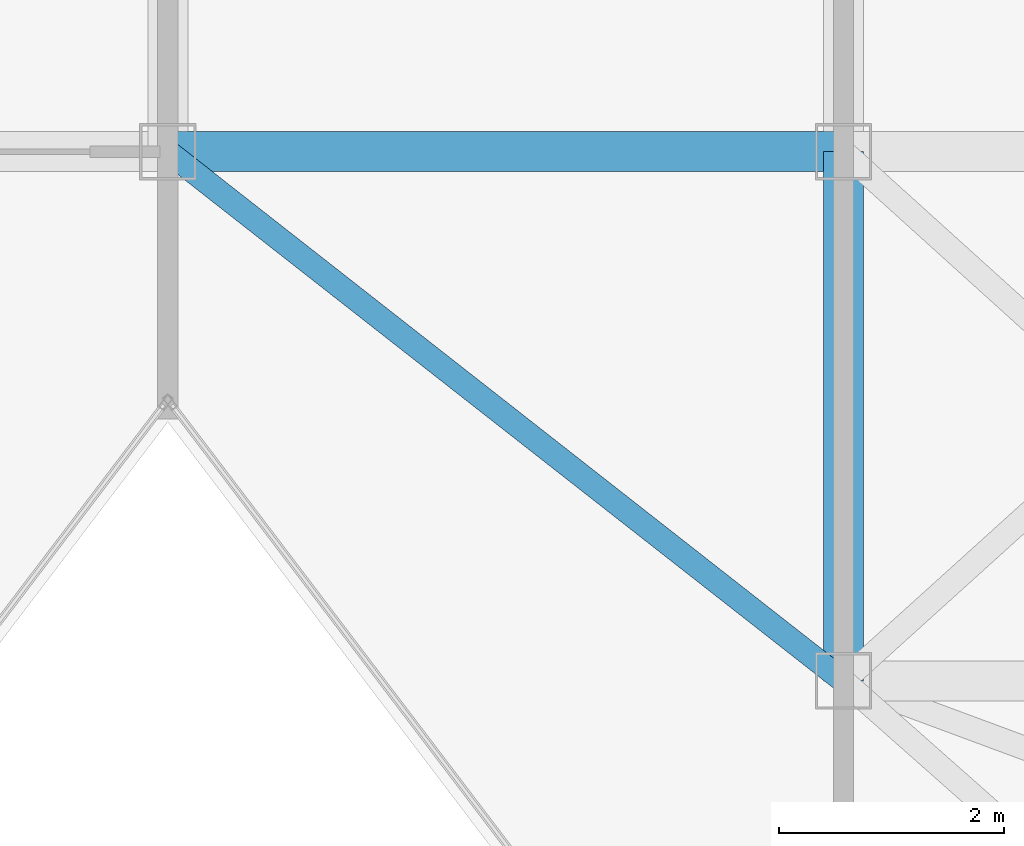
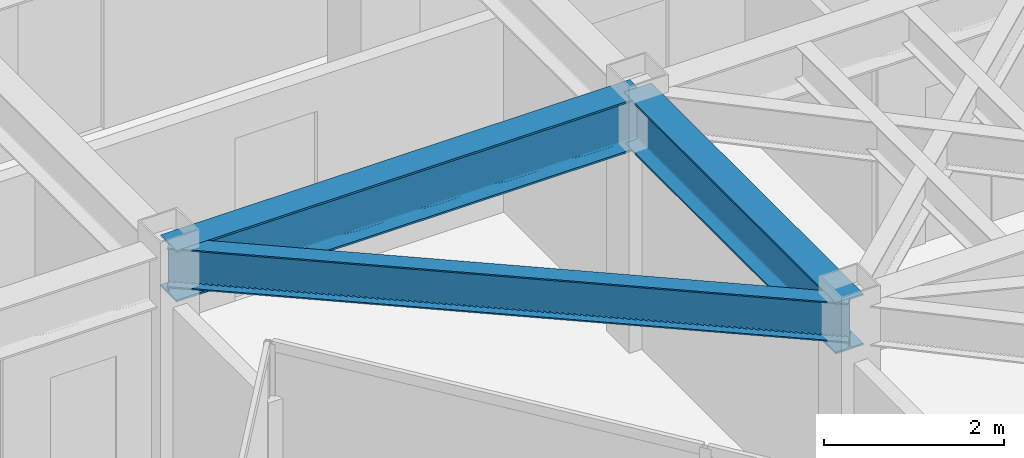
# One storey, part 9 of 20: 3 beams.
"""IFC4 building model written with IfcOpenShell, lengths in metres."""

from ifc_helpers import new_model, si_unit, direction, frame, origin, origin_2d, place, context, subcontext, project, spatial, i_section, extrude, material, material_profile, profile_set, type_object, element, save


model = new_model("IFC4")

# Units and contexts
model_context = context("Model", 3, precision=1e-05, world=origin(), true_north=direction((0.0, 1.0)))
body_context = subcontext(model_context, "Body", "Model", "MODEL_VIEW")
ifc_project = project(units=[si_unit("LENGTHUNIT", "METRE"), si_unit("AREAUNIT", "SQUARE_METRE"), si_unit("VOLUMEUNIT", "CUBIC_METRE"), si_unit("PLANEANGLEUNIT", "RADIAN"), si_unit("MASSUNIT", "GRAM", prefix="KILO")], contexts=[model_context])

# Site, building, storey
site_placement = place(None, origin())
site = spatial("IfcSite", under=ifc_project, at=site_placement, CompositionType="ELEMENT")
building_placement = place(site_placement, origin())
building = spatial("IfcBuilding", under=site, at=building_placement, Name="Kravanh Interchange Tower", CompositionType="ELEMENT")
storey_placement = place(building_placement, frame((0.0, 0.0, 234.60009765625)))
storey = spatial("IfcBuildingStorey", under=building, at=storey_placement, Name="L56", CompositionType="ELEMENT", Elevation=234.60009765625)

# Beams
ifc_material_1 = material(Name="Structural Steel S355", Category="steel")
ifc_material_profile_1 = material_profile(ifc_material_1, i_section(OverallWidth=0.35498046875, OverallDepth=0.696044921875, WebThickness=0.015380859375, FlangeThickness=0.02490234375, FilletRadius=0.02392578125, at=origin_2d()), Name="W27X146")
ifc_profile_set_1 = profile_set([ifc_material_profile_1], Name="Structural Steel S355")
beam_type_1 = type_object("IfcBeamType", Name="Floor Beam W27X146 Structural Steel S355", PredefinedType="BEAM", material=ifc_profile_set_1)
beam_1_placement = place(storey_placement, frame((44.800048828125, 31.5, 3.011962890625), z_axis=(1.0, 0.0, 0.0), x_axis=(0.0, 1.0, 0.0)))
element("IfcBeam", 1, at=beam_1_placement, inside=storey, type_object=beam_type_1, Name="L56 Primary Floor Girder 2", PredefinedType="BEAM", context=body_context, shape_type="SweptSolid", body=[
    extrude(i_section(OverallWidth=0.35498046875, OverallDepth=0.696044921875, WebThickness=0.015380859375, FlangeThickness=0.02490234375, FilletRadius=0.02392578125, at=origin_2d()), origin(), (0.0, 0.0, 1.0), 6.0),
])
beam_2_placement = place(storey_placement, frame((50.800048828125, 31.5, 3.011962890625), z_axis=(0.0, -1.0, 0.0), x_axis=(1.0, 0.0, 0.0)))
element("IfcBeam", 2, at=beam_2_placement, inside=storey, type_object=beam_type_1, Name="L56 Primary Floor Girder 5", PredefinedType="BEAM", context=body_context, shape_type="SweptSolid", body=[
    extrude(i_section(OverallWidth=0.35498046875, OverallDepth=0.696044921875, WebThickness=0.015380859375, FlangeThickness=0.02490234375, FilletRadius=0.02392578125, at=origin_2d()), origin(), (0.0, 0.0, 1.0), 4.699951171875),
])
ifc_material_2 = material(Name="Structural Steel S355", Category="steel")
ifc_material_profile_2 = material_profile(ifc_material_2, i_section(OverallWidth=0.2099609375, OverallDepth=0.537109375, WebThickness=0.010986328125, FlangeThickness=0.017333984375, FilletRadius=0.02001953125, at=origin_2d()), Name="W21X68")
ifc_profile_set_2 = profile_set([ifc_material_profile_2], Name="Structural Steel S355")
beam_type_2 = type_object("IfcBeamType", Name="Floor Spandrel W21X68 Structural Steel S355", PredefinedType="SPANDREL", material=ifc_profile_set_2)
beam_3_placement = place(storey_placement, frame((44.800048828125, 31.5, 3.09130859375), z_axis=(0.787231163579, -0.616658004967, 0.0), x_axis=(0.616658004967, 0.787231163579, 0.0)))
element("IfcBeam", 3, at=beam_3_placement, inside=storey, type_object=beam_type_2, Name="L56 Perimeter Spandrel 4", PredefinedType="SPANDREL", context=body_context, shape_type="SweptSolid", body=[
    extrude(i_section(OverallWidth=0.2099609375, OverallDepth=0.537109375, WebThickness=0.010986328125, FlangeThickness=0.017333984375, FilletRadius=0.02001953125, at=origin_2d()), origin(), (0.0, 0.0, 1.0), 7.62158203125),
])

save(model, "model.ifc")
